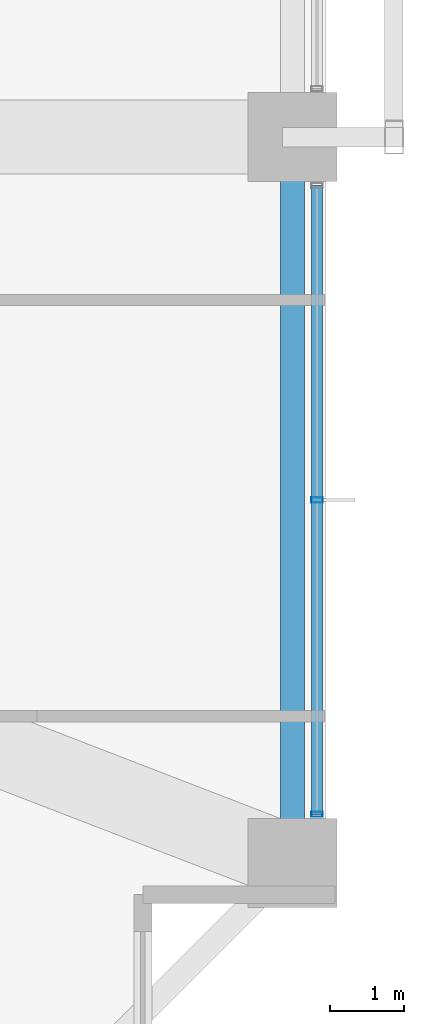
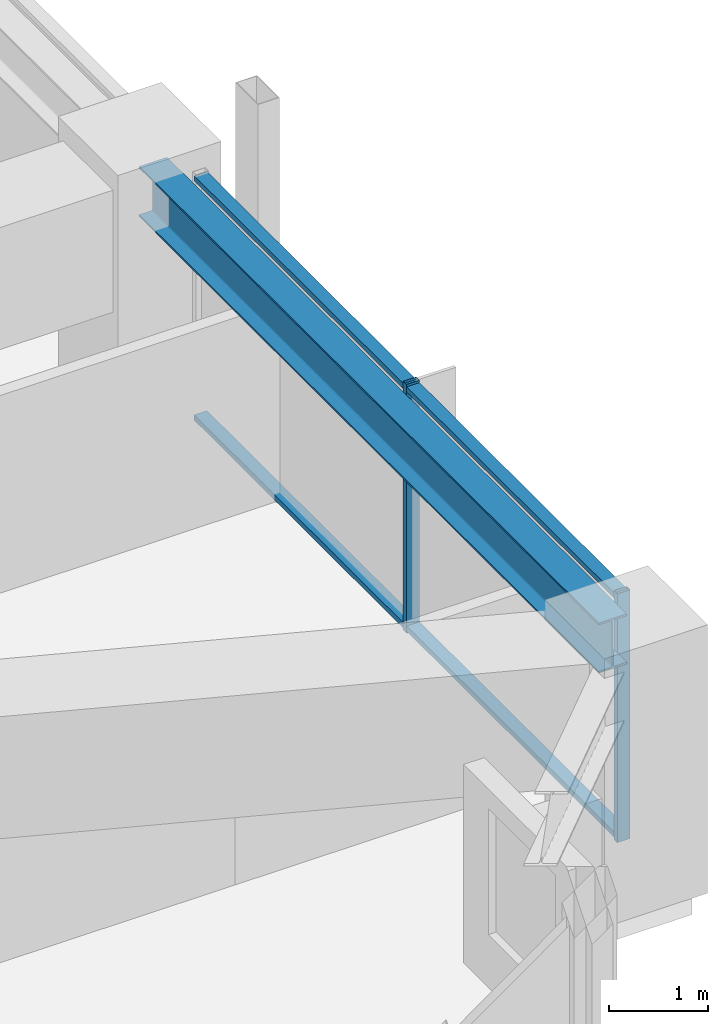
# One storey, part 12 of 37: 4 members, 1 beam, 1 element without a shape of its own.
"""IFC4 building model written with IfcOpenShell, lengths in metres."""

from ifc_helpers import new_model, si_unit, direction, frame, origin, origin_2d, place, context, subcontext, project, spatial, hollow_rectangle, i_section, extrude, material, material_profile, profile_set, type_object, element, aggregate, save


model = new_model("IFC4")

# Units and contexts
model_context = context("Model", 3, precision=1e-05, world=origin(), true_north=direction((0.0, 1.0)))
body_context = subcontext(model_context, "Body", "Model", "MODEL_VIEW")
ifc_project = project(units=[si_unit("LENGTHUNIT", "METRE"), si_unit("AREAUNIT", "SQUARE_METRE"), si_unit("VOLUMEUNIT", "CUBIC_METRE"), si_unit("PLANEANGLEUNIT", "RADIAN"), si_unit("MASSUNIT", "GRAM", prefix="KILO")], contexts=[model_context])

# Site, building, storey
site_placement = place(None, origin())
site = spatial("IfcSite", under=ifc_project, at=site_placement, CompositionType="ELEMENT")
building_placement = place(site_placement, origin())
building = spatial("IfcBuilding", under=site, at=building_placement, Name="Kolvaren Belvedere", CompositionType="ELEMENT")
storey_placement = place(building_placement, frame((0.0, 0.0, 43.60009765625)))
storey = spatial("IfcBuildingStorey", under=building, at=storey_placement, Name="L12", CompositionType="ELEMENT", Elevation=43.60009765625)

# Beam
ifc_material_1 = material(Name="Structural steel ASTM A992 Grade 50", Category="steel")
ifc_material_profile_1 = material_profile(ifc_material_1, i_section(OverallWidth=0.324951171875, OverallDepth=0.615966796875, WebThickness=0.013916015625, FlangeThickness=0.021484375, FilletRadius=0.02001953125, at=origin_2d()), Name="W24X117")
ifc_profile_set_1 = profile_set([ifc_material_profile_1], Name="Structural steel ASTM A992 Grade 50")
beam_type = type_object("IfcBeamType", Name="BM-SPAN-W24X117", PredefinedType="SPANDREL", material=ifc_profile_set_1)
beam_placement = place(storey_placement, frame((21.550048828125, -14.1298828125, 2.751953125), z_axis=(0.0, 1.0, 0.0), x_axis=(-1.0, 0.0, 0.0)))
element("IfcBeam", 1, at=beam_placement, inside=storey, type_object=beam_type, Name="L12 Perimeter Spandrel E1-E2", PredefinedType="SPANDREL", context=body_context, shape_type="SweptSolid", body=[
    extrude(i_section(OverallWidth=0.324951171875, OverallDepth=0.615966796875, WebThickness=0.013916015625, FlangeThickness=0.021484375, FilletRadius=0.02001953125, at=origin_2d()), origin(), (0.0, 0.0, 1.0), 9.259765625),
])

# Curtain wall, members
ifc_material_2 = material(Name="Anodised pale-metal aluminium AA 6063-T6", Category="aluminium")
curtain_wall_type = type_object("IfcCurtainWallType", Name="CW-Z1-LOW", PredefinedType="NOTDEFINED", material=ifc_material_2)
curtain_wall_placement = place(storey_placement, origin())
curtain_wall = element("IfcCurtainWall", 2, at=curtain_wall_placement, inside=storey, type_object=curtain_wall_type, Name="L12 Unitised Curtain Wall FCW-L12-E-B3", PredefinedType="NOTDEFINED")
ifc_material_3 = material(Name="Anodised pale-metal aluminium AA 6063-T6", Category="aluminium")
ifc_material_profile_2 = material_profile(ifc_material_3, hollow_rectangle(XDim=0.070068359375, YDim=0.14990234375, WallThickness=0.004150390625, at=origin_2d()), Name="ALU-MUL-150X70")
ifc_profile_set_2 = profile_set([ifc_material_profile_2], Name="Anodised pale-metal aluminium AA 6063-T6")
member_type_1 = type_object("IfcMemberType", Name="CW-MUL-150", PredefinedType="MULLION", material=ifc_profile_set_2)
member_1_placement = place(storey_placement, frame((21.8798828125, -9.5, 0.0), z_axis=(0.0, 0.0, 1.0), x_axis=(0.0, 1.0, 0.0)))
member_1 = element("IfcMember", 3, at=member_1_placement, type_object=member_type_1, Name="FCW-L12-E-B3 Unitised Mullion 2", PredefinedType="MULLION", context=body_context, shape_type="SweptSolid", body=[
    extrude(hollow_rectangle(XDim=0.070068359375, YDim=0.14990234375, WallThickness=0.004150390625, at=origin_2d()), origin(), (0.0, 0.0, 1.0), 3.059814453125),
])
member_2_placement = place(storey_placement, frame((21.8798828125, -13.7451171875, 0.0), z_axis=(0.0, 0.0, 1.0), x_axis=(0.0, 1.0, 0.0)))
member_2 = element("IfcMember", 4, at=member_2_placement, type_object=member_type_1, Name="FCW-L12-E-B3 Unitised Mullion 3", PredefinedType="MULLION", context=body_context, shape_type="SweptSolid", body=[
    extrude(hollow_rectangle(XDim=0.070068359375, YDim=0.14990234375, WallThickness=0.004150390625, at=origin_2d()), origin(), (0.0, 0.0, 1.0), 3.059814453125),
])
ifc_material_4 = material(Name="Anodised pale-metal aluminium AA 6063-T6", Category="aluminium")
ifc_material_profile_3 = material_profile(ifc_material_4, hollow_rectangle(XDim=0.06494140625, YDim=0.14990234375, WallThickness=0.00390625, at=origin_2d()), Name="ALU-TRN-150X65")
ifc_profile_set_3 = profile_set([ifc_material_profile_3], Name="Anodised pale-metal aluminium AA 6063-T6")
member_type_2 = type_object("IfcMemberType", Name="CW-TRN-150", PredefinedType="USERDEFINED", material=ifc_profile_set_3)
member_3_placement = place(storey_placement, frame((21.8798828125, -5.2548828125, 0.059814453125), z_axis=(0.0, -1.0, 0.0), x_axis=(0.0, 0.0, 1.0)))
member_3 = element("IfcMember", 5, at=member_3_placement, type_object=member_type_2, Name="FCW-L12-E-B3 Sill Transom", ObjectType="TRANSOM", PredefinedType="USERDEFINED", context=body_context, shape_type="SweptSolid", body=[
    extrude(hollow_rectangle(XDim=0.06494140625, YDim=0.14990234375, WallThickness=0.00390625, at=origin_2d()), origin(), (0.0, 0.0, 1.0), 8.490234375),
])
member_4_placement = place(storey_placement, frame((21.8798828125, -5.2548828125, 3.0), z_axis=(0.0, -1.0, 0.0), x_axis=(0.0, 0.0, 1.0)))
member_4 = element("IfcMember", 6, at=member_4_placement, type_object=member_type_2, Name="FCW-L12-E-B3 Head Transom", ObjectType="TRANSOM", PredefinedType="USERDEFINED", context=body_context, shape_type="SweptSolid", body=[
    extrude(hollow_rectangle(XDim=0.06494140625, YDim=0.14990234375, WallThickness=0.00390625, at=origin_2d()), origin(), (0.0, 0.0, 1.0), 8.490234375),
])
aggregate(curtain_wall, [member_1, member_2, member_3, member_4])

save(model, "model.ifc")
